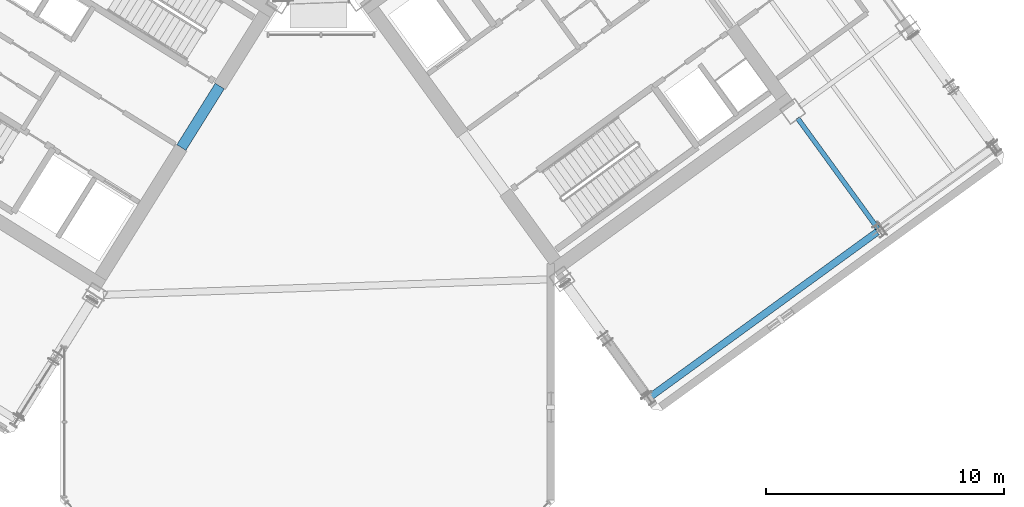
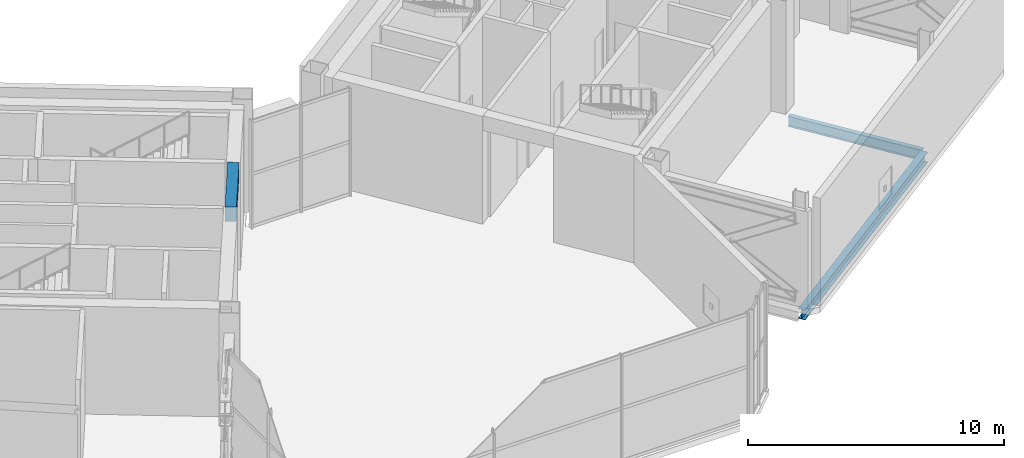
# One storey, part 11 of 30: 3 beams.
"""IFC4 building model written with IfcOpenShell, lengths in metres."""

from ifc_helpers import new_model, si_unit, direction, frame, origin, origin_2d, place, context, subcontext, project, spatial, rectangle, i_section, extrude, source, transform, mapped, material, material_profile, profile_set, type_object, element, save


model = new_model("IFC4")

# Units and contexts
model_context = context("Model", 3, precision=1e-05, world=origin(), true_north=direction((0.0, 1.0)))
body_context = subcontext(model_context, "Body", "Model", "MODEL_VIEW")
ifc_project = project(units=[si_unit("LENGTHUNIT", "METRE"), si_unit("AREAUNIT", "SQUARE_METRE"), si_unit("VOLUMEUNIT", "CUBIC_METRE"), si_unit("PLANEANGLEUNIT", "RADIAN"), si_unit("MASSUNIT", "GRAM", prefix="KILO")], contexts=[model_context])

# Site, building, storey
site_placement = place(None, origin())
site = spatial("IfcSite", under=ifc_project, at=site_placement, CompositionType="ELEMENT")
building_placement = place(site_placement, origin())
building = spatial("IfcBuilding", under=site, at=building_placement, Name="Tlacorven Tower", CompositionType="ELEMENT")
storey_placement = place(building_placement, frame((0.0, 0.0, 169.5)))
storey = spatial("IfcBuildingStorey", under=building, at=storey_placement, Name="L43", CompositionType="ELEMENT", Elevation=169.5)

# Beams
ifc_material_1 = material(Name="Concrete C60/75", Category="concrete")
ifc_material_profile_1 = material_profile(ifc_material_1, rectangle(XDim=0.449951171875, YDim=0.699951171875, at=origin_2d()), Name="RC 450X700")
ifc_profile_set_1 = profile_set([ifc_material_profile_1], Name="Concrete C60/75")
beam_type_1 = type_object("IfcBeamType", Name="BM-LNT-700", PredefinedType="LINTEL", material=ifc_profile_set_1)
shared_shape_1 = source(origin(), body_context, "Body", "SweptSolid", [
    extrude(rectangle(XDim=0.449951171875, YDim=0.699951171875, at=origin_2d()), origin(), (0.0, 0.0, 1.0), 3.050048828125),
])
beam_1_placement = place(storey_placement, frame((38.2998046875, 20.890625, 4.800048828125), z_axis=(-0.529984549635, -0.848007297815, 0.0), x_axis=(0.848007297815, -0.529984549635, 0.0)))
element("IfcBeam", 1, at=beam_1_placement, inside=storey, type_object=beam_type_1, Name="L43 W core coupling lintel beam E1", PredefinedType="LINTEL", context=body_context, shape_type="MappedRepresentation", body=[
    mapped(shared_shape_1, transform((0.0, 0.0, 0.0), scale=1.0)),
])
ifc_material_2 = material(Name="Steel S355J2", Category="steel")
ifc_material_profile_2 = material_profile(ifc_material_2, i_section(OverallWidth=0.300048828125, OverallDepth=0.489990234375, WebThickness=0.011962890625, FlangeThickness=0.02294921875, at=origin_2d()), Name="HEA 500")
ifc_profile_set_2 = profile_set([ifc_material_profile_2], Name="Steel S355J2")
beam_type_2 = type_object("IfcBeamType", Name="BM-SPN-500", PredefinedType="SPANDREL", material=ifc_profile_set_2)
shared_shape_2 = source(origin(), body_context, "Body", "SweptSolid", [
    extrude(i_section(OverallWidth=0.300048828125, OverallDepth=0.489990234375, WebThickness=0.011962890625, FlangeThickness=0.02294921875, at=origin_2d()), origin(), (0.0, 0.0, 1.0), 11.800048828125),
])
beam_2_placement = place(storey_placement, frame((56.4306640625, 7.816162109375, -0.52490234375), z_axis=(0.80900977213, 0.587795192732, 0.0), x_axis=(-0.587795192732, 0.80900977213, 0.0)))
element("IfcBeam", 2, at=beam_2_placement, inside=storey, type_object=beam_type_2, Name="L43 beam BM-L43-EL1-1", PredefinedType="SPANDREL", context=body_context, shape_type="MappedRepresentation", body=[
    mapped(shared_shape_2, transform((0.0, 0.0, 0.0), scale=1.0)),
])
ifc_material_profile_3 = material_profile(ifc_material_2, i_section(OverallWidth=0.199951171875, OverallDepth=0.5, WebThickness=0.01025390625, FlangeThickness=0.01611328125, at=origin_2d()), Name="IPE 500")
ifc_profile_set_3 = profile_set([ifc_material_profile_3], Name="Steel S355J2")
beam_type_3 = type_object("IfcBeamType", Name="BM-TWR-500", PredefinedType="BEAM", material=ifc_profile_set_3)
shared_shape_3 = source(origin(), body_context, "Body", "SweptSolid", [
    extrude(i_section(OverallWidth=0.199951171875, OverallDepth=0.5, WebThickness=0.01025390625, FlangeThickness=0.01611328125, at=origin_2d()), origin(), (0.0, 0.0, 1.0), 5.75),
])
beam_3_placement = place(storey_placement, frame((65.9990234375, 14.891845703125, -0.530029296875), z_axis=(-0.587770208527, 0.809027924097, 0.0), x_axis=(-0.809027924097, -0.587770208527, 0.0)))
element("IfcBeam", 3, at=beam_3_placement, inside=storey, type_object=beam_type_3, Name="L43 beam BM-L43-ET3-1", PredefinedType="BEAM", context=body_context, shape_type="MappedRepresentation", body=[
    mapped(shared_shape_3, transform((0.0, 0.0, 0.0), scale=1.0)),
])

save(model, "model.ifc")
